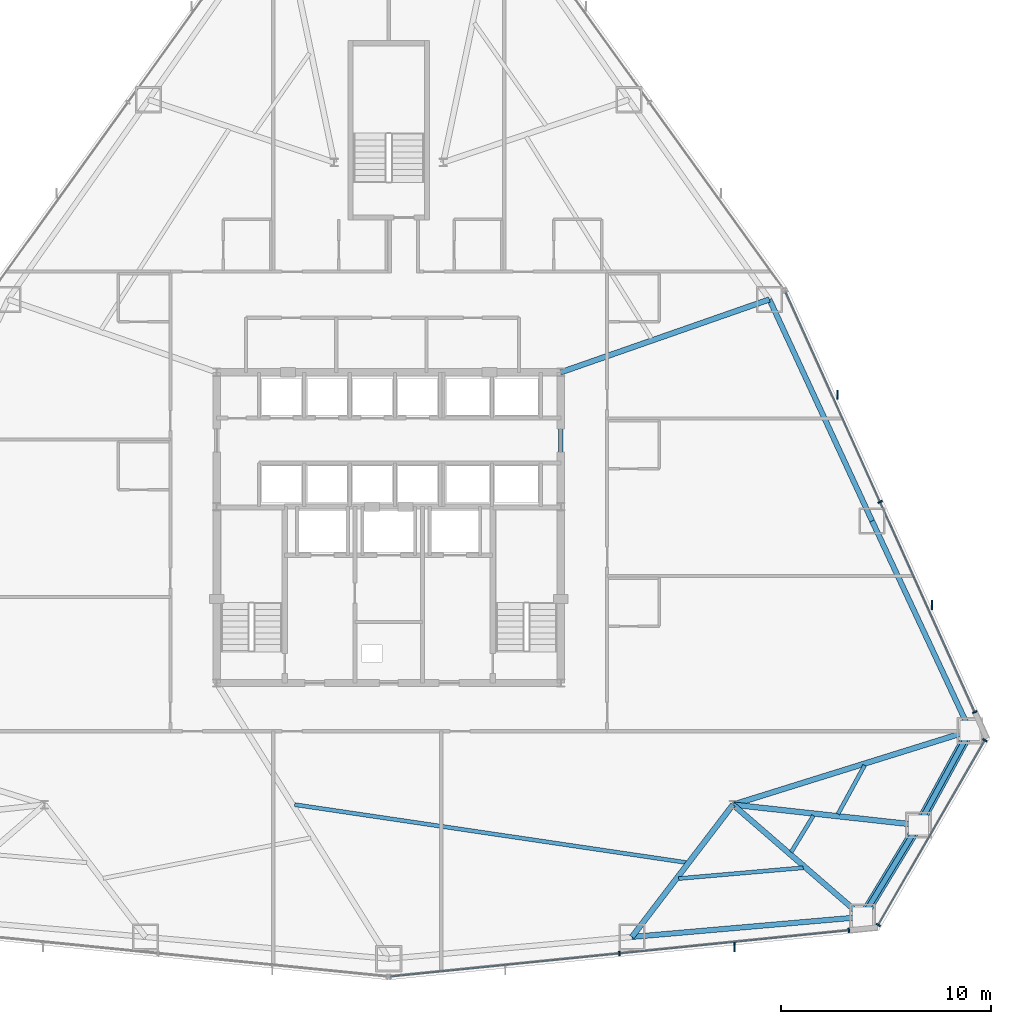
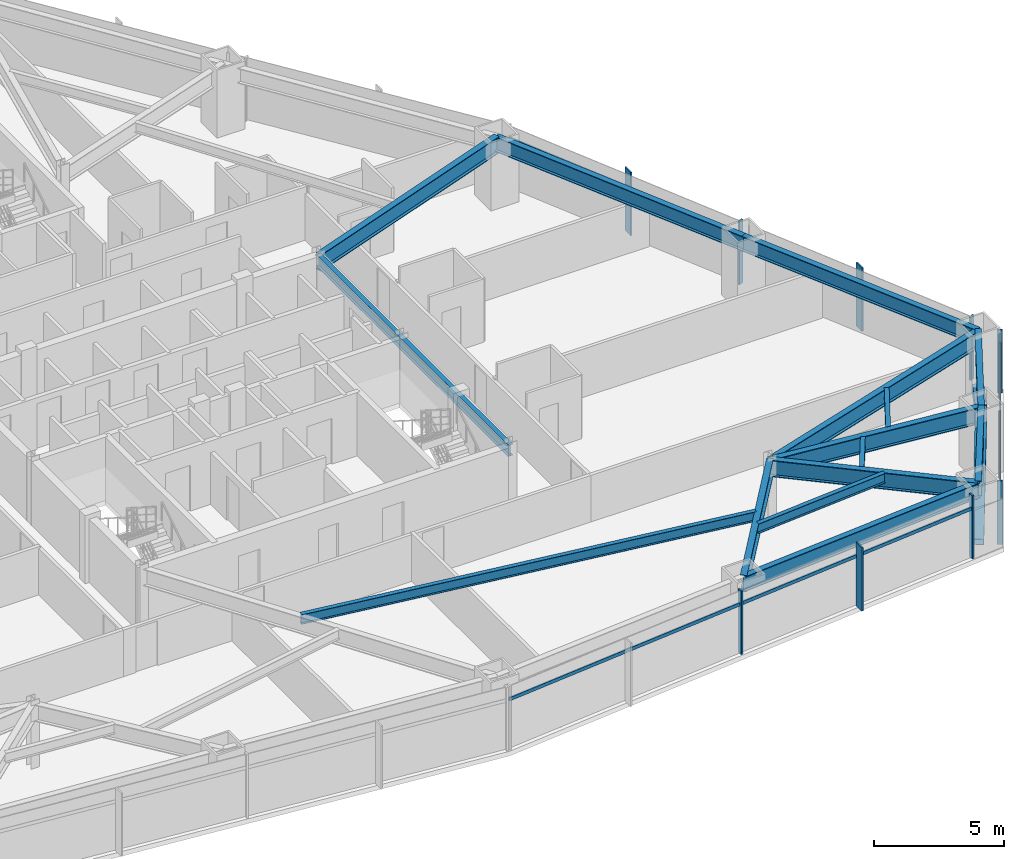
# One storey, part 6 of 12: 15 beams, 14 members, 3 elements without a shape of their own.
"""IFC4 building model written with IfcOpenShell, lengths in metres."""

from ifc_helpers import new_model, si_unit, direction, frame, origin, origin_2d, place, context, subcontext, project, spatial, rectangle, hollow_rectangle, i_section, extrude, source, transform, mapped, material, layer, layer_set, material_profile, profile_set, type_object, type_shapes, element, aggregate, save


model = new_model("IFC4")

# Units and contexts
model_context = context("Model", 3, precision=1e-05, world=origin(), true_north=direction((0.0, 1.0)))
body_context = subcontext(model_context, "Body", "Model", "MODEL_VIEW")
ifc_project = project(units=[si_unit("LENGTHUNIT", "METRE"), si_unit("AREAUNIT", "SQUARE_METRE"), si_unit("VOLUMEUNIT", "CUBIC_METRE"), si_unit("PLANEANGLEUNIT", "RADIAN"), si_unit("MASSUNIT", "GRAM", prefix="KILO")], contexts=[model_context])

# Site, building, storey
site_placement = place(None, origin())
site = spatial("IfcSite", under=ifc_project, at=site_placement, CompositionType="ELEMENT")
building_placement = place(site_placement, origin())
building = spatial("IfcBuilding", under=site, at=building_placement, Name="Varakhsha Concourse Tower", CompositionType="ELEMENT")
storey_placement = place(building_placement, frame((0.0, 0.0, 33.60009765625)))
storey = spatial("IfcBuildingStorey", under=building, at=storey_placement, Name="L08", CompositionType="ELEMENT", Elevation=33.60009765625)

# Beams
ifc_material_1 = material(Name="Structural Steel ASTM A992 Grade 50", Category="steel")
ifc_material_profile_1 = material_profile(ifc_material_1, i_section(OverallWidth=0.26611328125, OverallDepth=0.779052734375, WebThickness=0.01708984375, FlangeThickness=0.030029296875, at=origin_2d()), Name="W30X148")
ifc_profile_set_1 = profile_set([ifc_material_profile_1], Name="Structural Steel ASTM A992 Grade 50")
beam_type_1 = type_object("IfcBeamType", Name="BM-BASE-W30X148", PredefinedType="USERDEFINED", material=ifc_profile_set_1)
beam_1_placement = place(storey_placement, frame((56.39990234375, 10.60009765625, 2.59033203125), z_axis=(-0.607124337511, -0.794606845428, 0.0), x_axis=(0.794606845428, -0.607124337511, 0.0)))
element("IfcBeam", 1, at=beam_1_placement, inside=storey, type_object=beam_type_1, Name="L08 Radial Floor Girder 12", ObjectType="GIRDER", PredefinedType="USERDEFINED", context=body_context, shape_type="SweptSolid", body=[
    extrude(i_section(OverallWidth=0.26611328125, OverallDepth=0.779052734375, WebThickness=0.01708984375, FlangeThickness=0.030029296875, at=origin_2d()), origin(), (0.0, 0.0, 1.0), 7.92919921875),
])
beam_2_placement = place(storey_placement, frame((56.39990234375, 10.60009765625, 2.59033203125), z_axis=(0.755728528056, -0.65488502188, 0.0), x_axis=(0.65488502188, 0.755728528056, 0.0)))
element("IfcBeam", 2, at=beam_2_placement, inside=storey, type_object=beam_type_1, Name="L08 Radial Floor Girder 13", ObjectType="GIRDER", PredefinedType="USERDEFINED", context=body_context, shape_type="SweptSolid", body=[
    extrude(i_section(OverallWidth=0.26611328125, OverallDepth=0.779052734375, WebThickness=0.01708984375, FlangeThickness=0.030029296875, at=origin_2d()), origin(), (0.0, 0.0, 1.0), 8.16845703125),
])
beam_3_placement = place(storey_placement, frame((56.39990234375, 10.60009765625, 2.59033203125), z_axis=(0.994025918026, -0.109144281995, 0.0), x_axis=(0.109144281995, 0.994025918026, 0.0)))
element("IfcBeam", 3, at=beam_3_placement, inside=storey, type_object=beam_type_1, Name="L08 Radial Floor Girder 14", ObjectType="GIRDER", PredefinedType="USERDEFINED", context=body_context, shape_type="SweptSolid", body=[
    extrude(i_section(OverallWidth=0.26611328125, OverallDepth=0.779052734375, WebThickness=0.01708984375, FlangeThickness=0.030029296875, at=origin_2d()), origin(), (0.0, 0.0, 1.0), 8.889404296875),
])
beam_4_placement = place(storey_placement, frame((56.39990234375, 10.60009765625, 2.59033203125), z_axis=(0.954595165952, 0.297906141495, 0.0), x_axis=(-0.297906141495, 0.954595165952, 0.0)))
element("IfcBeam", 4, at=beam_4_placement, inside=storey, type_object=beam_type_1, Name="L08 Radial Floor Girder 15", ObjectType="GIRDER", PredefinedType="USERDEFINED", context=body_context, shape_type="SweptSolid", body=[
    extrude(i_section(OverallWidth=0.26611328125, OverallDepth=0.779052734375, WebThickness=0.01708984375, FlangeThickness=0.030029296875, at=origin_2d()), origin(), (0.0, 0.0, 1.0), 11.834716796875),
])
beam_5_placement = place(storey_placement, frame((48.199951171875, 31.199951171875, 2.59033203125), z_axis=(0.944069395278, 0.329746837587, 0.0), x_axis=(-0.329746837587, 0.944069395278, 0.0)))
element("IfcBeam", 5, at=beam_5_placement, inside=storey, type_object=beam_type_1, Name="L08 Radial Floor Girder 17", ObjectType="GIRDER", PredefinedType="USERDEFINED", context=body_context, shape_type="SweptSolid", body=[
    extrude(i_section(OverallWidth=0.26611328125, OverallDepth=0.779052734375, WebThickness=0.01708984375, FlangeThickness=0.030029296875, at=origin_2d()), origin(), (0.0, 0.0, 1.0), 10.523193359375),
])
ifc_material_profile_2 = material_profile(ifc_material_1, i_section(OverallWidth=0.19091796875, OverallDepth=0.45703125, WebThickness=0.009033203125, FlangeThickness=0.013916015625, at=origin_2d()), Name="W18X50")
ifc_profile_set_2 = profile_set([ifc_material_profile_2], Name="Structural Steel ASTM A992 Grade 50")
beam_type_2 = type_object("IfcBeamType", Name="BM-JST-W18X50", PredefinedType="JOIST", material=ifc_profile_set_2)
beam_6_placement = place(storey_placement, frame((35.516845703125, 10.602294921875, 2.75146484375), z_axis=(0.989246374726, -0.146258709454, 0.0), x_axis=(0.146258709454, 0.989246374726, 0.0)))
element("IfcBeam", 6, at=beam_6_placement, inside=storey, type_object=beam_type_2, Name="BM-TJST-L08-11", PredefinedType="JOIST", context=body_context, shape_type="SweptSolid", body=[
    extrude(i_section(OverallWidth=0.19091796875, OverallDepth=0.45703125, WebThickness=0.009033203125, FlangeThickness=0.013916015625, at=origin_2d()), origin(), (0.0, 0.0, 1.0), 18.859130859375),
])
beam_7_placement = place(storey_placement, frame((53.813720703125, 7.081298828125, 2.75146484375), z_axis=(0.996273739352, 0.086247529114, 0.0), x_axis=(-0.086247529114, 0.996273739352, 0.0)))
element("IfcBeam", 7, at=beam_7_placement, inside=storey, type_object=beam_type_2, Name="BM-TJST-L08-12", PredefinedType="JOIST", context=body_context, shape_type="SweptSolid", body=[
    extrude(i_section(OverallWidth=0.19091796875, OverallDepth=0.45703125, WebThickness=0.009033203125, FlangeThickness=0.013916015625, at=origin_2d()), origin(), (0.0, 0.0, 1.0), 5.955810546875),
])
beam_8_placement = place(storey_placement, frame((59.17333984375, 8.34033203125, 2.75146484375), z_axis=(0.519585338852, 0.854418559987, 0.0), x_axis=(-0.854418559987, 0.519585338852, 0.0)))
element("IfcBeam", 8, at=beam_8_placement, inside=storey, type_object=beam_type_2, Name="BM-TJST-L08-13", PredefinedType="JOIST", context=body_context, shape_type="SweptSolid", body=[
    extrude(i_section(OverallWidth=0.19091796875, OverallDepth=0.45703125, WebThickness=0.009033203125, FlangeThickness=0.013916015625, at=origin_2d()), origin(), (0.0, 0.0, 1.0), 2.034912109375),
])
beam_9_placement = place(storey_placement, frame((61.40087890625, 10.1533203125, 2.75146484375), z_axis=(0.480213381791, 0.877151701787, 0.0), x_axis=(-0.877151701787, 0.480213381791, 0.0)))
element("IfcBeam", 9, at=beam_9_placement, inside=storey, type_object=beam_type_2, Name="BM-TJST-L08-14", PredefinedType="JOIST", context=body_context, shape_type="SweptSolid", body=[
    extrude(i_section(OverallWidth=0.19091796875, OverallDepth=0.45703125, WebThickness=0.009033203125, FlangeThickness=0.013916015625, at=origin_2d()), origin(), (0.0, 0.0, 1.0), 2.650390625),
])
ifc_material_profile_3 = material_profile(ifc_material_1, i_section(OverallWidth=0.2109375, OverallDepth=0.5390625, WebThickness=0.011962890625, FlangeThickness=0.01904296875, at=origin_2d()), Name="W21X73")
ifc_profile_set_3 = profile_set([ifc_material_profile_3], Name="Structural Steel ASTM A992 Grade 50")
beam_type_3 = type_object("IfcBeamType", Name="BM-RAD-W21X73", PredefinedType="BEAM", material=ifc_profile_set_3)
beam_10_placement = place(storey_placement, frame((48.199951171875, 16.39990234375, 2.71044921875), z_axis=(0.0, 1.0, 0.0), x_axis=(-1.0, 0.0, 0.0)))
element("IfcBeam", 10, at=beam_10_placement, inside=storey, type_object=beam_type_3, Name="BM-TCORE-L08-CE", PredefinedType="BEAM", context=body_context, shape_type="SweptSolid", body=[
    extrude(i_section(OverallWidth=0.2109375, OverallDepth=0.5390625, WebThickness=0.011962890625, FlangeThickness=0.01904296875, at=origin_2d()), origin(), (0.0, 0.0, 1.0), 14.800048828125),
])
ifc_material_profile_4 = material_profile(ifc_material_1, i_section(OverallWidth=0.25390625, OverallDepth=0.701904296875, WebThickness=0.014892578125, FlangeThickness=0.028076171875, at=origin_2d()), Name="W27X129")
ifc_profile_set_4 = profile_set([ifc_material_profile_4], Name="Structural Steel ASTM A992 Grade 50")
beam_type_4 = type_object("IfcBeamType", Name="BM-SPAN-W27X129", PredefinedType="SPANDREL", material=ifc_profile_set_4)
beam_11_placement = place(storey_placement, frame((51.5859375, 4.299560546875, 2.62890625), z_axis=(0.996273577178, 0.086249402411, 0.0), x_axis=(-0.086249402411, 0.996273577178, 0.0)))
element("IfcBeam", 11, at=beam_11_placement, inside=storey, type_object=beam_type_4, Name="BM-SPAN-L08-12", PredefinedType="SPANDREL", context=body_context, shape_type="SweptSolid", body=[
    extrude(i_section(OverallWidth=0.25390625, OverallDepth=0.701904296875, WebThickness=0.014892578125, FlangeThickness=0.028076171875, at=origin_2d()), origin(), (0.0, 0.0, 1.0), 11.028076171875),
])
beam_12_placement = place(storey_placement, frame((62.572998046875, 5.250732421875, 2.62890625), z_axis=(0.519593292706, 0.854413723072, 0.0), x_axis=(-0.854413723072, 0.519593292706, 0.0)))
element("IfcBeam", 12, at=beam_12_placement, inside=storey, type_object=beam_type_4, Name="BM-SPAN-L08-13", PredefinedType="SPANDREL", context=body_context, shape_type="SweptSolid", body=[
    extrude(i_section(OverallWidth=0.25390625, OverallDepth=0.701904296875, WebThickness=0.014892578125, FlangeThickness=0.028076171875, at=origin_2d()), origin(), (0.0, 0.0, 1.0), 5.125244140625),
])
beam_13_placement = place(storey_placement, frame((65.236083984375, 9.6298828125, 2.62890625), z_axis=(0.480189853619, 0.877164582323, 0.0), x_axis=(-0.877164582323, 0.480189853619, 0.0)))
element("IfcBeam", 13, at=beam_13_placement, inside=storey, type_object=beam_type_4, Name="BM-SPAN-L08-14", PredefinedType="SPANDREL", context=body_context, shape_type="SweptSolid", body=[
    extrude(i_section(OverallWidth=0.25390625, OverallDepth=0.701904296875, WebThickness=0.014892578125, FlangeThickness=0.028076171875, at=origin_2d()), origin(), (0.0, 0.0, 1.0), 5.12548828125),
])
beam_14_placement = place(storey_placement, frame((67.697265625, 14.125732421875, 2.62890625), z_axis=(-0.423468305163, 0.90591091975, 0.0), x_axis=(-0.90591091975, -0.423468305163, 0.0)))
element("IfcBeam", 14, at=beam_14_placement, inside=storey, type_object=beam_type_4, Name="BM-SPAN-L08-15", PredefinedType="SPANDREL", context=body_context, shape_type="SweptSolid", body=[
    extrude(i_section(OverallWidth=0.25390625, OverallDepth=0.701904296875, WebThickness=0.014892578125, FlangeThickness=0.028076171875, at=origin_2d()), origin(), (0.0, 0.0, 1.0), 11.0283203125),
])
beam_15_placement = place(storey_placement, frame((63.027099609375, 24.116455078125, 2.62890625), z_axis=(-0.420598806974, 0.907246737978, 0.0), x_axis=(-0.907246737978, -0.420598806974, 0.0)))
element("IfcBeam", 15, at=beam_15_placement, inside=storey, type_object=beam_type_4, Name="BM-SPAN-L08-16", PredefinedType="SPANDREL", context=body_context, shape_type="SweptSolid", body=[
    extrude(i_section(OverallWidth=0.25390625, OverallDepth=0.701904296875, WebThickness=0.014892578125, FlangeThickness=0.028076171875, at=origin_2d()), origin(), (0.0, 0.0, 1.0), 11.63232421875),
])

# Members
ifc_material_2 = material(Name="Structural Steel ASTM A500 Grade C", Category="steel")
ifc_material_profile_5 = material_profile(ifc_material_2, hollow_rectangle(XDim=0.449951171875, YDim=0.449951171875, WallThickness=0.01904296875, at=origin_2d()), Name="HSS 450x450x19")
ifc_profile_set_5 = profile_set([ifc_material_profile_5], Name="Structural Steel ASTM A500 Grade C")
member_type_1 = type_object("IfcMemberType", Name="MB-TUBE-HSS450", PredefinedType="BRACE", material=ifc_profile_set_5)
shared_shape_1 = source(origin(), body_context, "Body", "SweptSolid", [
    extrude(hollow_rectangle(XDim=0.449951171875, YDim=0.449951171875, WallThickness=0.01904296875, at=origin_2d()), origin(), (0.0, 0.0, 1.0), 5.729248046875),
])
type_shapes(member_type_1, [shared_shape_1])
for number, where, z_axis, x_axis, name in (
    (16, (62.572998046875, 5.250732421875, 0.119873046875), (0.464832843975, 0.764366219507, 0.446849761819), (-0.854413723072, 0.519593292706, 0.0), "L08 Wind-Corner Tube Brace B05"),
    (17, (67.697265625, 14.125732421875, 0.119873046875), (-0.429583958076, -0.78472260569, 0.446842315681), (0.877164582323, -0.480189853619, 0.0), "L08 Wind-Corner Tube Brace B06"),
):
    element("IfcMember", number, at=place(storey_placement, frame(where, z_axis=z_axis, x_axis=x_axis)), inside=storey, type_object=member_type_1, Name=name, PredefinedType="BRACE", context=body_context, shape_type="MappedRepresentation", body=[
        mapped(shared_shape_1, transform((0.0, 0.0, 0.0), scale=1.0)),
    ])

# Curtain wall, members
ifc_material_3 = material(Name="Anodised Bronze Architectural Aluminium AA 6063-T6", Category="aluminium")
ifc_layer = layer(ifc_material_3, 0.219970703125, Name="CW-SYS-02")
ifc_layer_set = layer_set([ifc_layer], Name="Anodised Bronze Architectural Aluminium AA 6063-T6")
curtain_wall_type = type_object("IfcCurtainWallType", Name="CW-SYS-02", PredefinedType="NOTDEFINED", material=ifc_layer_set)
curtain_wall_1_placement = place(storey_placement, origin())
curtain_wall_1 = element("IfcCurtainWall", 18, at=curtain_wall_1_placement, inside=storey, type_object=curtain_wall_type, Name="L08 Crystal Curtain Wall F6", PredefinedType="NOTDEFINED")
ifc_material_profile_6 = material_profile(ifc_material_3, rectangle(XDim=0.074951171875, YDim=0.219970703125, at=origin_2d()), Name="CWM-220X75")
ifc_profile_set_6 = profile_set([ifc_material_profile_6], Name="Anodised Bronze Architectural Aluminium AA 6063-T6")
member_type_2 = type_object("IfcMemberType", Name="CWM-220X75", PredefinedType="MULLION", material=ifc_profile_set_6)
shared_shape_2 = source(origin(), body_context, "Body", "SweptSolid", [
    extrude(rectangle(XDim=0.074951171875, YDim=0.219970703125, at=origin_2d()), origin(), (0.0, 0.0, 1.0), 2.97998046875),
])
type_shapes(member_type_2, [shared_shape_2])
member_1_placement = place(storey_placement, frame((61.919189453125, 4.61669921875, 0.0), z_axis=(0.0, 0.0, 1.0), x_axis=(-0.994964670572, -0.100226265587, 0.0)))
member_1 = element("IfcMember", 19, at=member_1_placement, type_object=member_type_2, Name="CW-L08-F6 Mullion 00", PredefinedType="MULLION", context=body_context, shape_type="MappedRepresentation", body=[
    mapped(shared_shape_2, transform((0.0, 0.0, 0.0), scale=1.0)),
])
member_2_placement = place(storey_placement, frame((50.991455078125, 3.51611328125, 0.0), z_axis=(0.0, 0.0, 1.0), x_axis=(-0.994964670572, -0.100226265587, 0.0)))
member_2 = element("IfcMember", 20, at=member_2_placement, type_object=member_type_2, Name="CW-L08-F6 Mullion 01", PredefinedType="MULLION", context=body_context, shape_type="MappedRepresentation", body=[
    mapped(shared_shape_2, transform((0.0, 0.0, 0.0), scale=1.0)),
])

curtain_wall_2_placement = place(storey_placement, origin())
curtain_wall_2 = element("IfcCurtainWall", 21, at=curtain_wall_2_placement, inside=storey, type_object=curtain_wall_type, Name="L08 Chamfer Curtain Wall F7", PredefinedType="NOTDEFINED")
member_3_placement = place(storey_placement, frame((68.399658203125, 13.66943359375, 0.0), z_axis=(0.0, 0.0, 1.0), x_axis=(-0.499996976998, -0.866027149108, 0.0)))
member_3 = element("IfcMember", 22, at=member_3_placement, type_object=member_type_2, Name="CW-L08-F7 Mullion 00", PredefinedType="MULLION", context=body_context, shape_type="MappedRepresentation", body=[
    mapped(shared_shape_2, transform((0.0, 0.0, 0.0), scale=1.0)),
])
member_4_placement = place(storey_placement, frame((63.319580078125, 4.87060546875, 0.0), z_axis=(0.0, 0.0, 1.0), x_axis=(-0.499996976998, -0.866027149108, 0.0)))
member_4 = element("IfcMember", 23, at=member_4_placement, type_object=member_type_2, Name="CW-L08-F7 Mullion 01", PredefinedType="MULLION", context=body_context, shape_type="MappedRepresentation", body=[
    mapped(shared_shape_2, transform((0.0, 0.0, 0.0), scale=1.0)),
])

curtain_wall_3_placement = place(storey_placement, origin())
curtain_wall_3 = element("IfcCurtainWall", 24, at=curtain_wall_3_placement, inside=storey, type_object=curtain_wall_type, Name="L08 Crystal Curtain Wall F8", PredefinedType="NOTDEFINED")
member_5_placement = place(storey_placement, frame((63.40869140625, 25.023193359375, 0.0), z_axis=(0.0, 0.0, 1.0), x_axis=(0.410683843161, -0.911777813377, 0.0)))
member_5 = element("IfcMember", 25, at=member_5_placement, type_object=member_type_2, Name="CW-L08-F8 Mullion 01", PredefinedType="MULLION", context=body_context, shape_type="MappedRepresentation", body=[
    mapped(shared_shape_2, transform((0.0, 0.0, 0.0), scale=1.0)),
])
member_6_placement = place(storey_placement, frame((67.919189453125, 15.0087890625, 0.0), z_axis=(0.0, 0.0, 1.0), x_axis=(0.410683843161, -0.911777813377, 0.0)))
member_6 = element("IfcMember", 26, at=member_6_placement, type_object=member_type_2, Name="CW-L08-F8 Mullion 02", PredefinedType="MULLION", context=body_context, shape_type="MappedRepresentation", body=[
    mapped(shared_shape_2, transform((0.0, 0.0, 0.0), scale=1.0)),
])

# Member
ifc_material_profile_7 = material_profile(ifc_material_3, rectangle(XDim=0.06494140625, YDim=0.159912109375, at=origin_2d()), Name="CWT-160X65")
ifc_profile_set_7 = profile_set([ifc_material_profile_7], Name="Anodised Bronze Architectural Aluminium AA 6063-T6")
member_type_3 = type_object("IfcMemberType", Name="CWT-160X65", PredefinedType="USERDEFINED", material=ifc_profile_set_7)
shared_shape_3 = source(origin(), body_context, "Body", "SweptSolid", [
    extrude(rectangle(XDim=0.06494140625, YDim=0.159912109375, at=origin_2d()), origin(), (0.0, 0.0, 1.0), 10.16015625),
])
member_7_placement = place(storey_placement, frame((68.399658203125, 13.66943359375, 2.329833984375), z_axis=(-0.500005339912, -0.866022320763, 0.0), x_axis=(0.866022320763, -0.500005339912, 0.0)))
member_7 = element("IfcMember", 27, at=member_7_placement, type_object=member_type_3, Name="CW-L08-F7 Transom 01", ObjectType="TRANSOM", PredefinedType="USERDEFINED", context=body_context, shape_type="MappedRepresentation", body=[
    mapped(shared_shape_3, transform((0.0, 0.0, 0.0), scale=1.0)),
])

aggregate(curtain_wall_2, [member_3, member_4, member_7])

ifc_material_profile_8 = material_profile(ifc_material_3, rectangle(XDim=0.06494140625, YDim=0.449951171875, at=origin_2d()), Name="FIN-BRZ-450")
ifc_profile_set_8 = profile_set([ifc_material_profile_8], Name="Anodised Bronze Architectural Aluminium AA 6063-T6")
member_type_4 = type_object("IfcMemberType", Name="FIN-BRZ-450", PredefinedType="USERDEFINED", material=ifc_profile_set_8)
shared_shape_4 = source(origin(), body_context, "Body", "SweptSolid", [
    extrude(rectangle(XDim=0.06494140625, YDim=0.449951171875, at=origin_2d()), origin(), (0.0, 0.0, 1.0), 2.97998046875),
])
type_shapes(member_type_4, [shared_shape_4])
member_8_placement = place(storey_placement, frame((56.4794921875, 3.82763671875, 0.0), z_axis=(0.0, 0.0, 1.0), x_axis=(1.0, 0.0, 0.0)))
member_8 = element("IfcMember", 28, at=member_8_placement, type_object=member_type_4, Name="L08 Anodised Bronze Solar Fin F6-1", ObjectType="SOLAR FIN", PredefinedType="USERDEFINED", context=body_context, shape_type="MappedRepresentation", body=[
    mapped(shared_shape_4, transform((0.0, 0.0, 0.0), scale=1.0)),
])

member_9_placement = place(storey_placement, frame((61.3720703125, 30.12890625, 0.0), z_axis=(0.0, 0.0, 1.0), x_axis=(1.0, 0.0, 0.0)))
member_9 = element("IfcMember", 29, at=member_9_placement, type_object=member_type_4, Name="L08 Anodised Bronze Solar Fin F8-1", ObjectType="SOLAR FIN", PredefinedType="USERDEFINED", context=body_context, shape_type="MappedRepresentation", body=[
    mapped(shared_shape_4, transform((0.0, 0.0, 0.0), scale=1.0)),
])

member_10_placement = place(storey_placement, frame((65.8828125, 20.114501953125, 0.0), z_axis=(0.0, 0.0, 1.0), x_axis=(1.0, 0.0, 0.0)))
member_10 = element("IfcMember", 30, at=member_10_placement, type_object=member_type_4, Name="L08 Anodised Bronze Solar Fin F8-2", ObjectType="SOLAR FIN", PredefinedType="USERDEFINED", context=body_context, shape_type="MappedRepresentation", body=[
    mapped(shared_shape_4, transform((0.0, 0.0, 0.0), scale=1.0)),
])

shared_shape_5 = source(origin(), body_context, "Body", "SweptSolid", [
    extrude(rectangle(XDim=0.06494140625, YDim=0.159912109375, at=origin_2d()), origin(), (0.0, 0.0, 1.0), 21.966552734375),
])
member_11_placement = place(storey_placement, frame((58.89794921875, 35.037353515625, 2.329833984375), z_axis=(0.410682136042, -0.911778582297, 0.0), x_axis=(0.911778582297, 0.410682136042, 0.0)))
member_11 = element("IfcMember", 31, at=member_11_placement, type_object=member_type_3, Name="CW-L08-F8 Transom 01", ObjectType="TRANSOM", PredefinedType="USERDEFINED", context=body_context, shape_type="MappedRepresentation", body=[
    mapped(shared_shape_5, transform((0.0, 0.0, 0.0), scale=1.0)),
])

aggregate(curtain_wall_3, [member_5, member_6, member_11, member_9, member_10])

shared_shape_6 = source(origin(), body_context, "Body", "SweptSolid", [
    extrude(rectangle(XDim=0.06494140625, YDim=0.159912109375, at=origin_2d()), origin(), (0.0, 0.0, 1.0), 21.966064453125),
])
type_shapes(member_type_3, [shared_shape_3, shared_shape_5, shared_shape_6])
member_12_placement = place(storey_placement, frame((61.919189453125, 4.61669921875, 2.329833984375), z_axis=(-0.99496540449, -0.100218979583, 0.0), x_axis=(0.100218979583, -0.99496540449, 0.0)))
member_12 = element("IfcMember", 32, at=member_12_placement, type_object=member_type_3, Name="CW-L08-F6 Transom 01", ObjectType="TRANSOM", PredefinedType="USERDEFINED", context=body_context, shape_type="MappedRepresentation", body=[
    mapped(shared_shape_6, transform((0.0, 0.0, 0.0), scale=1.0)),
])

aggregate(curtain_wall_1, [member_1, member_2, member_12, member_8])

save(model, "model.ifc")
